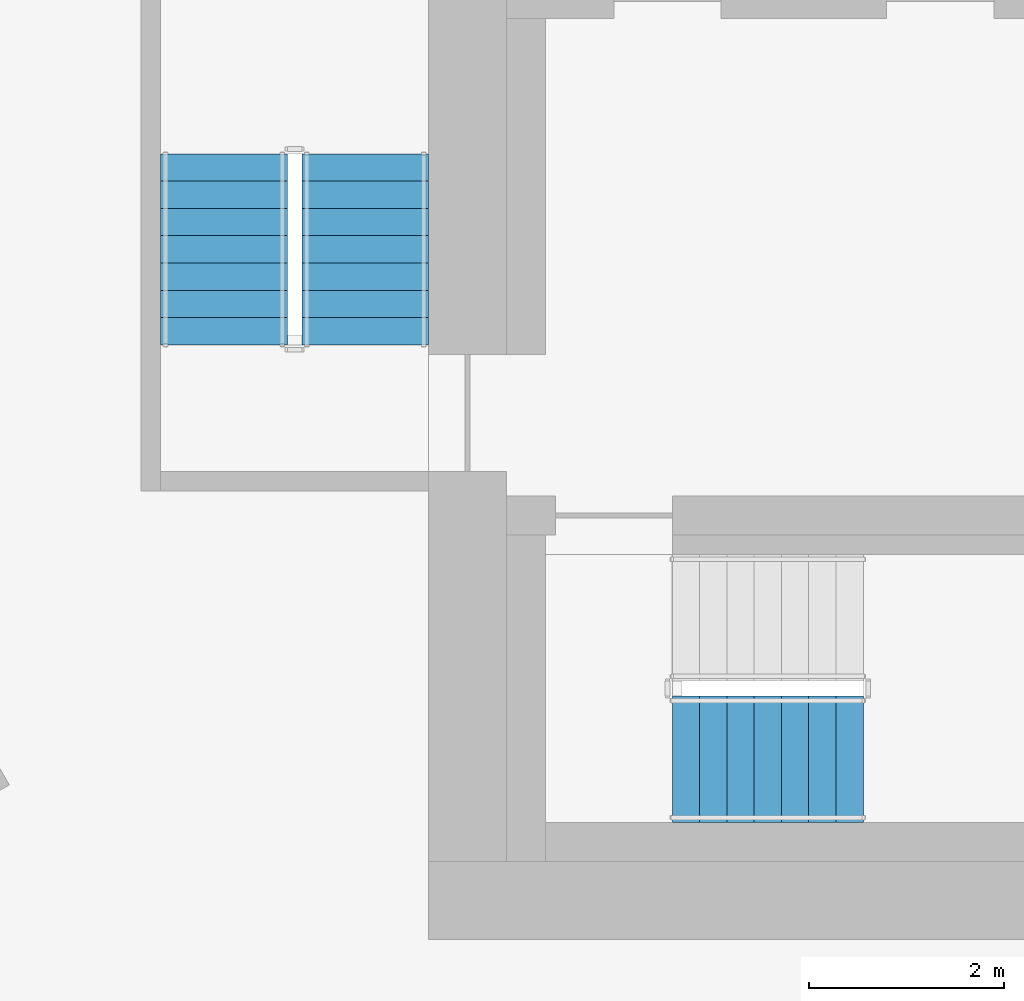
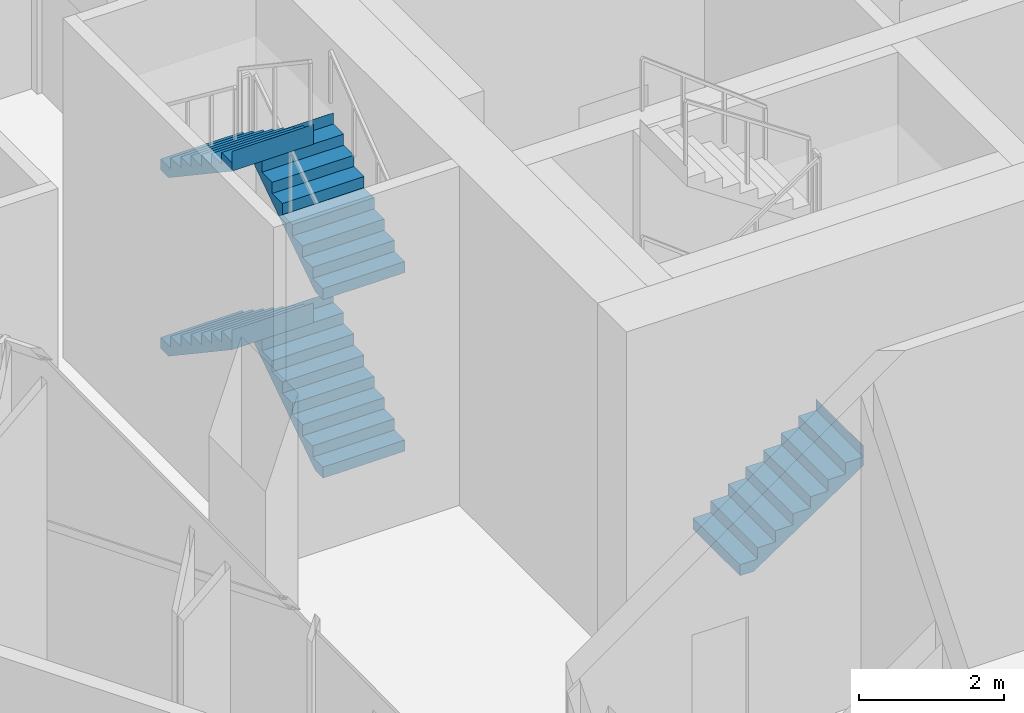
# One storey, part 18 of 27: 5 stair flights, 2 elements without a shape of their own.
"""IFC4 building model written with IfcOpenShell, lengths in metres."""

from ifc_helpers import new_model, si_unit, direction, frame, origin, place, context, subcontext, project, spatial, triangles, material, type_object, element, aggregate, save


model = new_model("IFC4")

# Units and contexts
model_context = context("Model", 3, precision=1e-05, world=origin(), true_north=direction((0.0, 1.0)))
body_context = subcontext(model_context, "Body", "Model", "MODEL_VIEW")
ifc_project = project(units=[si_unit("LENGTHUNIT", "METRE"), si_unit("AREAUNIT", "SQUARE_METRE"), si_unit("VOLUMEUNIT", "CUBIC_METRE"), si_unit("PLANEANGLEUNIT", "RADIAN"), si_unit("MASSUNIT", "GRAM", prefix="KILO")], contexts=[model_context])

# Site, building, storey
site_placement = place(None, origin())
site = spatial("IfcSite", under=ifc_project, at=site_placement, CompositionType="ELEMENT")
building_placement = place(site_placement, origin())
building = spatial("IfcBuilding", under=site, at=building_placement, Name="Beryl Residences", CompositionType="ELEMENT")
storey_placement = place(building_placement, frame((0.0, 0.0, 111.60009765625)))
storey = spatial("IfcBuildingStorey", under=building, at=storey_placement, Name="L34", CompositionType="ELEMENT", Elevation=111.60009765625)

# Stair, stair flight
ifc_material_1 = material(Name="Concrete C40/50", Category="concrete")
stair_type = type_object("IfcStairType", Name="ST1 protected exit stair, half-turn, 1300 mm flights", PredefinedType="HALF_TURN_STAIR", material=ifc_material_1)
stair_1_placement = place(storey_placement, origin())
stair_1 = element("IfcStair", 1, at=stair_1_placement, inside=storey, type_object=stair_type, Name="L34 PROTECTED EXIT STAIR ST-1", PredefinedType="HALF_TURN_STAIR")
ifc_material_2 = material(Name="Concrete C40/50", Category="concrete")
stair_flight_type = type_object("IfcStairFlightType", Name="SF1 stair flight 1300 mm", PredefinedType="STRAIGHT", material=ifc_material_2)
stair_flight_1_placement = place(storey_placement, frame((-10.800048828125, -17.14990234375, 0.0), z_axis=(0.0, 0.0, 1.0), x_axis=(1.0, 0.0, 0.0)))
stair_flight_1 = element("IfcStairFlight", 2, at=stair_flight_1_placement, type_object=stair_flight_type, Name="ST-1 flight 1", NumberOfRisers=8, NumberOfTreads=7, PredefinedType="STRAIGHT", RiserHeight=0.1875, TreadLength=0.28, context=body_context, shape_type="Tessellation", body=[
    triangles([(0.0, -0.64990234375, 0.0), (0.0, -0.324951171875, 0.0), (0.0, 0.0, 0.0), (0.0, 0.324951171875, 0.0), (0.0, 0.64990234375, 0.0), (0.0, -0.64990234375, 0.1875), (0.0, -0.324951171875, 0.1875), (0.0, 0.0, 0.1875), (0.0, 0.324951171875, 0.1875), (0.0, 0.64990234375, 0.1875), (0.280029296875, -0.64990234375, 0.1875), (0.280029296875, -0.324951171875, 0.1875), (0.280029296875, 0.0, 0.1875), (0.280029296875, 0.324951171875, 0.1875), (0.280029296875, 0.64990234375, 0.1875), (0.280029296875, -0.64990234375, 0.375), (0.280029296875, -0.324951171875, 0.375), (0.280029296875, 0.0, 0.375), (0.280029296875, 0.324951171875, 0.375), (0.280029296875, 0.64990234375, 0.375), (0.56005859375, -0.64990234375, 0.375), (0.56005859375, -0.324951171875, 0.375), (0.56005859375, 0.0, 0.375), (0.56005859375, 0.324951171875, 0.375), (0.56005859375, 0.64990234375, 0.375), (0.56005859375, -0.64990234375, 0.5625), (0.56005859375, -0.324951171875, 0.5625), (0.56005859375, 0.0, 0.5625), (0.56005859375, 0.324951171875, 0.5625), (0.56005859375, 0.64990234375, 0.5625), (0.840087890625, -0.64990234375, 0.5625), (0.840087890625, -0.324951171875, 0.5625), (0.840087890625, 0.0, 0.5625), (0.840087890625, 0.324951171875, 0.5625), (0.840087890625, 0.64990234375, 0.5625), (0.840087890625, -0.64990234375, 0.75), (0.840087890625, -0.324951171875, 0.75), (0.840087890625, 0.0, 0.75), (0.840087890625, 0.324951171875, 0.75), (0.840087890625, 0.64990234375, 0.75), (1.1201171875, -0.64990234375, 0.75), (1.1201171875, -0.324951171875, 0.75), (1.1201171875, 0.0, 0.75), (1.1201171875, 0.324951171875, 0.75), (1.1201171875, 0.64990234375, 0.75), (1.1201171875, -0.64990234375, 0.9375), (1.1201171875, -0.324951171875, 0.9375), (1.1201171875, 0.0, 0.9375), (1.1201171875, 0.324951171875, 0.9375), (1.1201171875, 0.64990234375, 0.9375), (1.39990234375, -0.64990234375, 0.9375), (1.39990234375, -0.324951171875, 0.9375), (1.39990234375, 0.0, 0.9375), (1.39990234375, 0.324951171875, 0.9375), (1.39990234375, 0.64990234375, 0.9375), (1.39990234375, -0.64990234375, 1.125), (1.39990234375, -0.324951171875, 1.125), (1.39990234375, 0.0, 1.125), (1.39990234375, 0.324951171875, 1.125), (1.39990234375, 0.64990234375, 1.125), (1.679931640625, -0.64990234375, 1.125), (1.679931640625, -0.324951171875, 1.125), (1.679931640625, 0.0, 1.125), (1.679931640625, 0.324951171875, 1.125), (1.679931640625, 0.64990234375, 1.125), (1.679931640625, -0.64990234375, 1.3125), (1.679931640625, -0.324951171875, 1.3125), (1.679931640625, 0.0, 1.3125), (1.679931640625, 0.324951171875, 1.3125), (1.679931640625, 0.64990234375, 1.3125), (1.9599609375, -0.64990234375, 1.3125), (1.9599609375, -0.324951171875, 1.3125), (1.9599609375, 0.0, 1.3125), (1.9599609375, 0.324951171875, 1.3125), (1.9599609375, 0.64990234375, 1.3125), (1.9599609375, -0.64990234375, 1.5), (1.9599609375, -0.324951171875, 1.5), (1.9599609375, 0.0, 1.5), (1.9599609375, 0.324951171875, 1.5), (1.9599609375, 0.64990234375, 1.5), (1.9609375, -0.64990234375, 1.5), (1.9609375, -0.324951171875, 1.5), (1.9609375, 0.0, 1.5), (1.9609375, 0.324951171875, 1.5), (1.9609375, 0.64990234375, 1.5), (1.9609375, -0.64990234375, 1.16796875), (1.9609375, -0.324951171875, 1.16796875), (1.9609375, 0.0, 1.16796875), (1.9609375, 0.324951171875, 1.16796875), (1.9609375, 0.64990234375, 1.16796875), (0.216796875, -0.64990234375, 0.0), (0.216796875, -0.324951171875, 0.0), (0.216796875, 0.0, 0.0), (0.216796875, 0.324951171875, 0.0), (0.216796875, 0.64990234375, 0.0)], [[1, 6, 7], [1, 7, 2], [2, 7, 8], [2, 8, 3], [3, 8, 9], [3, 9, 4], [4, 9, 10], [4, 10, 5], [6, 11, 12], [6, 12, 7], [7, 12, 13], [7, 13, 8], [8, 13, 14], [8, 14, 9], [9, 14, 15], [9, 15, 10], [11, 16, 17], [11, 17, 12], [12, 17, 18], [12, 18, 13], [13, 18, 19], [13, 19, 14], [14, 19, 20], [14, 20, 15], [16, 21, 22], [16, 22, 17], [17, 22, 23], [17, 23, 18], [18, 23, 24], [18, 24, 19], [19, 24, 25], [19, 25, 20], [21, 26, 27], [21, 27, 22], [22, 27, 28], [22, 28, 23], [23, 28, 29], [23, 29, 24], [24, 29, 30], [24, 30, 25], [26, 31, 32], [26, 32, 27], [27, 32, 33], [27, 33, 28], [28, 33, 34], [28, 34, 29], [29, 34, 35], [29, 35, 30], [31, 36, 37], [31, 37, 32], [32, 37, 38], [32, 38, 33], [33, 38, 39], [33, 39, 34], [34, 39, 40], [34, 40, 35], [36, 41, 42], [36, 42, 37], [37, 42, 43], [37, 43, 38], [38, 43, 44], [38, 44, 39], [39, 44, 45], [39, 45, 40], [41, 46, 47], [41, 47, 42], [42, 47, 48], [42, 48, 43], [43, 48, 49], [43, 49, 44], [44, 49, 50], [44, 50, 45], [46, 51, 52], [46, 52, 47], [47, 52, 53], [47, 53, 48], [48, 53, 54], [48, 54, 49], [49, 54, 55], [49, 55, 50], [51, 56, 57], [51, 57, 52], [52, 57, 58], [52, 58, 53], [53, 58, 59], [53, 59, 54], [54, 59, 60], [54, 60, 55], [56, 61, 62], [56, 62, 57], [57, 62, 63], [57, 63, 58], [58, 63, 64], [58, 64, 59], [59, 64, 65], [59, 65, 60], [61, 66, 67], [61, 67, 62], [62, 67, 68], [62, 68, 63], [63, 68, 69], [63, 69, 64], [64, 69, 70], [64, 70, 65], [66, 71, 72], [66, 72, 67], [67, 72, 73], [67, 73, 68], [68, 73, 74], [68, 74, 69], [69, 74, 75], [69, 75, 70], [71, 76, 77], [71, 77, 72], [72, 77, 78], [72, 78, 73], [73, 78, 79], [73, 79, 74], [74, 79, 80], [74, 80, 75], [76, 81, 82], [76, 82, 77], [77, 82, 83], [77, 83, 78], [78, 83, 84], [78, 84, 79], [79, 84, 85], [79, 85, 80], [81, 86, 87], [81, 87, 82], [82, 87, 88], [82, 88, 83], [83, 88, 89], [83, 89, 84], [84, 89, 90], [84, 90, 85], [86, 91, 92], [86, 92, 87], [87, 92, 93], [87, 93, 88], [88, 93, 94], [88, 94, 89], [89, 94, 95], [89, 95, 90], [91, 1, 2], [91, 2, 92], [92, 2, 3], [92, 3, 93], [93, 3, 4], [93, 4, 94], [94, 4, 5], [94, 5, 95], [1, 91, 86], [5, 90, 95], [86, 81, 76], [90, 80, 85], [86, 76, 71], [90, 75, 80], [86, 71, 66], [90, 70, 75], [86, 66, 61], [90, 65, 70], [61, 56, 51], [65, 55, 60], [86, 61, 51], [90, 55, 65], [51, 46, 41], [55, 45, 50], [86, 51, 41], [90, 45, 55], [41, 36, 31], [45, 35, 40], [86, 41, 31], [90, 35, 45], [31, 26, 21], [35, 25, 30], [86, 31, 21], [90, 25, 35], [21, 16, 11], [25, 15, 20], [86, 21, 11], [90, 15, 25], [1, 86, 11], [5, 15, 90], [11, 6, 1], [15, 5, 10]], closed=True),
])
aggregate(stair_1, [stair_flight_1])

# Stair, stair flights
stair_2_placement = place(storey_placement, origin())
stair_2 = element("IfcStair", 3, at=stair_2_placement, inside=storey, type_object=stair_type, Name="L34 PROTECTED EXIT STAIR ST-2", PredefinedType="HALF_TURN_STAIR")
stair_flight_2_placement = place(storey_placement, frame((-13.949951171875, -12.89990234375, 0.0), z_axis=(0.0, 0.0, 1.0), x_axis=(0.0, 1.0, 0.0)))
stair_flight_2 = element("IfcStairFlight", 4, at=stair_flight_2_placement, type_object=stair_flight_type, Name="ST-2 flight 1", NumberOfRisers=8, NumberOfTreads=7, PredefinedType="STRAIGHT", RiserHeight=0.1875, TreadLength=0.28, context=body_context, shape_type="Tessellation", body=[
    triangles([(0.0, -0.64990234375, 0.0), (0.0, -0.324951171875, 0.0), (0.0, 0.0, 0.0), (0.0, 0.324951171875, 0.0), (0.0, 0.64990234375, 0.0), (0.0, -0.64990234375, 0.1875), (0.0, -0.324951171875, 0.1875), (0.0, 0.0, 0.1875), (0.0, 0.324951171875, 0.1875), (0.0, 0.64990234375, 0.1875), (0.280029296875, -0.64990234375, 0.1875), (0.280029296875, -0.324951171875, 0.1875), (0.280029296875, 0.0, 0.1875), (0.280029296875, 0.324951171875, 0.1875), (0.280029296875, 0.64990234375, 0.1875), (0.280029296875, -0.64990234375, 0.375), (0.280029296875, -0.324951171875, 0.375), (0.280029296875, 0.0, 0.375), (0.280029296875, 0.324951171875, 0.375), (0.280029296875, 0.64990234375, 0.375), (0.56005859375, -0.64990234375, 0.375), (0.56005859375, -0.324951171875, 0.375), (0.56005859375, 0.0, 0.375), (0.56005859375, 0.324951171875, 0.375), (0.56005859375, 0.64990234375, 0.375), (0.56005859375, -0.64990234375, 0.5625), (0.56005859375, -0.324951171875, 0.5625), (0.56005859375, 0.0, 0.5625), (0.56005859375, 0.324951171875, 0.5625), (0.56005859375, 0.64990234375, 0.5625), (0.840087890625, -0.64990234375, 0.5625), (0.840087890625, -0.324951171875, 0.5625), (0.840087890625, 0.0, 0.5625), (0.840087890625, 0.324951171875, 0.5625), (0.840087890625, 0.64990234375, 0.5625), (0.840087890625, -0.64990234375, 0.75), (0.840087890625, -0.324951171875, 0.75), (0.840087890625, 0.0, 0.75), (0.840087890625, 0.324951171875, 0.75), (0.840087890625, 0.64990234375, 0.75), (1.1201171875, -0.64990234375, 0.75), (1.1201171875, -0.324951171875, 0.75), (1.1201171875, 0.0, 0.75), (1.1201171875, 0.324951171875, 0.75), (1.1201171875, 0.64990234375, 0.75), (1.1201171875, -0.64990234375, 0.9375), (1.1201171875, -0.324951171875, 0.9375), (1.1201171875, 0.0, 0.9375), (1.1201171875, 0.324951171875, 0.9375), (1.1201171875, 0.64990234375, 0.9375), (1.39990234375, -0.64990234375, 0.9375), (1.39990234375, -0.324951171875, 0.9375), (1.39990234375, 0.0, 0.9375), (1.39990234375, 0.324951171875, 0.9375), (1.39990234375, 0.64990234375, 0.9375), (1.39990234375, -0.64990234375, 1.125), (1.39990234375, -0.324951171875, 1.125), (1.39990234375, 0.0, 1.125), (1.39990234375, 0.324951171875, 1.125), (1.39990234375, 0.64990234375, 1.125), (1.679931640625, -0.64990234375, 1.125), (1.679931640625, -0.324951171875, 1.125), (1.679931640625, 0.0, 1.125), (1.679931640625, 0.324951171875, 1.125), (1.679931640625, 0.64990234375, 1.125), (1.679931640625, -0.64990234375, 1.3125), (1.679931640625, -0.324951171875, 1.3125), (1.679931640625, 0.0, 1.3125), (1.679931640625, 0.324951171875, 1.3125), (1.679931640625, 0.64990234375, 1.3125), (1.9599609375, -0.64990234375, 1.3125), (1.9599609375, -0.324951171875, 1.3125), (1.9599609375, 0.0, 1.3125), (1.9599609375, 0.324951171875, 1.3125), (1.9599609375, 0.64990234375, 1.3125), (1.9599609375, -0.64990234375, 1.5), (1.9599609375, -0.324951171875, 1.5), (1.9599609375, 0.0, 1.5), (1.9599609375, 0.324951171875, 1.5), (1.9599609375, 0.64990234375, 1.5), (1.9609375, -0.64990234375, 1.5), (1.9609375, -0.324951171875, 1.5), (1.9609375, 0.0, 1.5), (1.9609375, 0.324951171875, 1.5), (1.9609375, 0.64990234375, 1.5), (1.9609375, -0.64990234375, 1.16796875), (1.9609375, -0.324951171875, 1.16796875), (1.9609375, 0.0, 1.16796875), (1.9609375, 0.324951171875, 1.16796875), (1.9609375, 0.64990234375, 1.16796875), (0.216796875, -0.64990234375, 0.0), (0.216796875, -0.324951171875, 0.0), (0.216796875, 0.0, 0.0), (0.216796875, 0.324951171875, 0.0), (0.216796875, 0.64990234375, 0.0)], [[1, 6, 7], [1, 7, 2], [2, 7, 8], [2, 8, 3], [3, 8, 9], [3, 9, 4], [4, 9, 10], [4, 10, 5], [6, 11, 12], [6, 12, 7], [7, 12, 13], [7, 13, 8], [8, 13, 14], [8, 14, 9], [9, 14, 15], [9, 15, 10], [11, 16, 17], [11, 17, 12], [12, 17, 18], [12, 18, 13], [13, 18, 19], [13, 19, 14], [14, 19, 20], [14, 20, 15], [16, 21, 22], [16, 22, 17], [17, 22, 23], [17, 23, 18], [18, 23, 24], [18, 24, 19], [19, 24, 25], [19, 25, 20], [21, 26, 27], [21, 27, 22], [22, 27, 28], [22, 28, 23], [23, 28, 29], [23, 29, 24], [24, 29, 30], [24, 30, 25], [26, 31, 32], [26, 32, 27], [27, 32, 33], [27, 33, 28], [28, 33, 34], [28, 34, 29], [29, 34, 35], [29, 35, 30], [31, 36, 37], [31, 37, 32], [32, 37, 38], [32, 38, 33], [33, 38, 39], [33, 39, 34], [34, 39, 40], [34, 40, 35], [36, 41, 42], [36, 42, 37], [37, 42, 43], [37, 43, 38], [38, 43, 44], [38, 44, 39], [39, 44, 45], [39, 45, 40], [41, 46, 47], [41, 47, 42], [42, 47, 48], [42, 48, 43], [43, 48, 49], [43, 49, 44], [44, 49, 50], [44, 50, 45], [46, 51, 52], [46, 52, 47], [47, 52, 53], [47, 53, 48], [48, 53, 54], [48, 54, 49], [49, 54, 55], [49, 55, 50], [51, 56, 57], [51, 57, 52], [52, 57, 58], [52, 58, 53], [53, 58, 59], [53, 59, 54], [54, 59, 60], [54, 60, 55], [56, 61, 62], [56, 62, 57], [57, 62, 63], [57, 63, 58], [58, 63, 64], [58, 64, 59], [59, 64, 65], [59, 65, 60], [61, 66, 67], [61, 67, 62], [62, 67, 68], [62, 68, 63], [63, 68, 69], [63, 69, 64], [64, 69, 70], [64, 70, 65], [66, 71, 72], [66, 72, 67], [67, 72, 73], [67, 73, 68], [68, 73, 74], [68, 74, 69], [69, 74, 75], [69, 75, 70], [71, 76, 77], [71, 77, 72], [72, 77, 78], [72, 78, 73], [73, 78, 79], [73, 79, 74], [74, 79, 80], [74, 80, 75], [76, 81, 82], [76, 82, 77], [77, 82, 83], [77, 83, 78], [78, 83, 84], [78, 84, 79], [79, 84, 85], [79, 85, 80], [81, 86, 87], [81, 87, 82], [82, 87, 88], [82, 88, 83], [83, 88, 89], [83, 89, 84], [84, 89, 90], [84, 90, 85], [86, 91, 92], [86, 92, 87], [87, 92, 93], [87, 93, 88], [88, 93, 94], [88, 94, 89], [89, 94, 95], [89, 95, 90], [91, 1, 2], [91, 2, 92], [92, 2, 3], [92, 3, 93], [93, 3, 4], [93, 4, 94], [94, 4, 5], [94, 5, 95], [1, 91, 86], [5, 90, 95], [86, 81, 76], [90, 80, 85], [86, 76, 71], [90, 75, 80], [86, 71, 66], [90, 70, 75], [86, 66, 61], [90, 65, 70], [61, 56, 51], [65, 55, 60], [86, 61, 51], [90, 55, 65], [51, 46, 41], [55, 45, 50], [86, 51, 41], [90, 45, 55], [41, 36, 31], [45, 35, 40], [86, 41, 31], [90, 35, 45], [31, 26, 21], [35, 25, 30], [86, 31, 21], [90, 25, 35], [21, 16, 11], [25, 15, 20], [86, 21, 11], [90, 15, 25], [1, 86, 11], [5, 15, 90], [11, 6, 1], [15, 5, 10]], closed=True),
])
stair_flight_3_placement = place(storey_placement, frame((-15.39990234375, -10.93994140625, 1.5), z_axis=(0.0, 0.0, 1.0), x_axis=(0.0, -1.0, 0.0)))
stair_flight_3 = element("IfcStairFlight", 5, at=stair_flight_3_placement, type_object=stair_flight_type, Name="ST-2 flight 2", NumberOfRisers=8, NumberOfTreads=7, PredefinedType="STRAIGHT", RiserHeight=0.1875, TreadLength=0.28, context=body_context, shape_type="Tessellation", body=[
    triangles([(0.0, -0.64990234375, 0.0), (0.0, -0.324951171875, 0.0), (0.0, 0.0, 0.0), (0.0, 0.324951171875, 0.0), (0.0, 0.64990234375, 0.0), (0.0, -0.64990234375, 0.1875), (0.0, -0.324951171875, 0.1875), (0.0, 0.0, 0.1875), (0.0, 0.324951171875, 0.1875), (0.0, 0.64990234375, 0.1875), (0.280029296875, -0.64990234375, 0.1875), (0.280029296875, -0.324951171875, 0.1875), (0.280029296875, 0.0, 0.1875), (0.280029296875, 0.324951171875, 0.1875), (0.280029296875, 0.64990234375, 0.1875), (0.280029296875, -0.64990234375, 0.375), (0.280029296875, -0.324951171875, 0.375), (0.280029296875, 0.0, 0.375), (0.280029296875, 0.324951171875, 0.375), (0.280029296875, 0.64990234375, 0.375), (0.56005859375, -0.64990234375, 0.375), (0.56005859375, -0.324951171875, 0.375), (0.56005859375, 0.0, 0.375), (0.56005859375, 0.324951171875, 0.375), (0.56005859375, 0.64990234375, 0.375), (0.56005859375, -0.64990234375, 0.5625), (0.56005859375, -0.324951171875, 0.5625), (0.56005859375, 0.0, 0.5625), (0.56005859375, 0.324951171875, 0.5625), (0.56005859375, 0.64990234375, 0.5625), (0.840087890625, -0.64990234375, 0.5625), (0.840087890625, -0.324951171875, 0.5625), (0.840087890625, 0.0, 0.5625), (0.840087890625, 0.324951171875, 0.5625), (0.840087890625, 0.64990234375, 0.5625), (0.840087890625, -0.64990234375, 0.75), (0.840087890625, -0.324951171875, 0.75), (0.840087890625, 0.0, 0.75), (0.840087890625, 0.324951171875, 0.75), (0.840087890625, 0.64990234375, 0.75), (1.1201171875, -0.64990234375, 0.75), (1.1201171875, -0.324951171875, 0.75), (1.1201171875, 0.0, 0.75), (1.1201171875, 0.324951171875, 0.75), (1.1201171875, 0.64990234375, 0.75), (1.1201171875, -0.64990234375, 0.9375), (1.1201171875, -0.324951171875, 0.9375), (1.1201171875, 0.0, 0.9375), (1.1201171875, 0.324951171875, 0.9375), (1.1201171875, 0.64990234375, 0.9375), (1.39990234375, -0.64990234375, 0.9375), (1.39990234375, -0.324951171875, 0.9375), (1.39990234375, 0.0, 0.9375), (1.39990234375, 0.324951171875, 0.9375), (1.39990234375, 0.64990234375, 0.9375), (1.39990234375, -0.64990234375, 1.125), (1.39990234375, -0.324951171875, 1.125), (1.39990234375, 0.0, 1.125), (1.39990234375, 0.324951171875, 1.125), (1.39990234375, 0.64990234375, 1.125), (1.679931640625, -0.64990234375, 1.125), (1.679931640625, -0.324951171875, 1.125), (1.679931640625, 0.0, 1.125), (1.679931640625, 0.324951171875, 1.125), (1.679931640625, 0.64990234375, 1.125), (1.679931640625, -0.64990234375, 1.3125), (1.679931640625, -0.324951171875, 1.3125), (1.679931640625, 0.0, 1.3125), (1.679931640625, 0.324951171875, 1.3125), (1.679931640625, 0.64990234375, 1.3125), (1.9599609375, -0.64990234375, 1.3125), (1.9599609375, -0.324951171875, 1.3125), (1.9599609375, 0.0, 1.3125), (1.9599609375, 0.324951171875, 1.3125), (1.9599609375, 0.64990234375, 1.3125), (1.9599609375, -0.64990234375, 1.5), (1.9599609375, -0.324951171875, 1.5), (1.9599609375, 0.0, 1.5), (1.9599609375, 0.324951171875, 1.5), (1.9599609375, 0.64990234375, 1.5), (1.9609375, -0.64990234375, 1.5), (1.9609375, -0.324951171875, 1.5), (1.9609375, 0.0, 1.5), (1.9609375, 0.324951171875, 1.5), (1.9609375, 0.64990234375, 1.5), (1.9609375, -0.64990234375, 1.16796875), (1.9609375, -0.324951171875, 1.16796875), (1.9609375, 0.0, 1.16796875), (1.9609375, 0.324951171875, 1.16796875), (1.9609375, 0.64990234375, 1.16796875), (0.216796875, -0.64990234375, 0.0), (0.216796875, -0.324951171875, 0.0), (0.216796875, 0.0, 0.0), (0.216796875, 0.324951171875, 0.0), (0.216796875, 0.64990234375, 0.0)], [[1, 6, 7], [1, 7, 2], [2, 7, 8], [2, 8, 3], [3, 8, 9], [3, 9, 4], [4, 9, 10], [4, 10, 5], [6, 11, 12], [6, 12, 7], [7, 12, 13], [7, 13, 8], [8, 13, 14], [8, 14, 9], [9, 14, 15], [9, 15, 10], [11, 16, 17], [11, 17, 12], [12, 17, 18], [12, 18, 13], [13, 18, 19], [13, 19, 14], [14, 19, 20], [14, 20, 15], [16, 21, 22], [16, 22, 17], [17, 22, 23], [17, 23, 18], [18, 23, 24], [18, 24, 19], [19, 24, 25], [19, 25, 20], [21, 26, 27], [21, 27, 22], [22, 27, 28], [22, 28, 23], [23, 28, 29], [23, 29, 24], [24, 29, 30], [24, 30, 25], [26, 31, 32], [26, 32, 27], [27, 32, 33], [27, 33, 28], [28, 33, 34], [28, 34, 29], [29, 34, 35], [29, 35, 30], [31, 36, 37], [31, 37, 32], [32, 37, 38], [32, 38, 33], [33, 38, 39], [33, 39, 34], [34, 39, 40], [34, 40, 35], [36, 41, 42], [36, 42, 37], [37, 42, 43], [37, 43, 38], [38, 43, 44], [38, 44, 39], [39, 44, 45], [39, 45, 40], [41, 46, 47], [41, 47, 42], [42, 47, 48], [42, 48, 43], [43, 48, 49], [43, 49, 44], [44, 49, 50], [44, 50, 45], [46, 51, 52], [46, 52, 47], [47, 52, 53], [47, 53, 48], [48, 53, 54], [48, 54, 49], [49, 54, 55], [49, 55, 50], [51, 56, 57], [51, 57, 52], [52, 57, 58], [52, 58, 53], [53, 58, 59], [53, 59, 54], [54, 59, 60], [54, 60, 55], [56, 61, 62], [56, 62, 57], [57, 62, 63], [57, 63, 58], [58, 63, 64], [58, 64, 59], [59, 64, 65], [59, 65, 60], [61, 66, 67], [61, 67, 62], [62, 67, 68], [62, 68, 63], [63, 68, 69], [63, 69, 64], [64, 69, 70], [64, 70, 65], [66, 71, 72], [66, 72, 67], [67, 72, 73], [67, 73, 68], [68, 73, 74], [68, 74, 69], [69, 74, 75], [69, 75, 70], [71, 76, 77], [71, 77, 72], [72, 77, 78], [72, 78, 73], [73, 78, 79], [73, 79, 74], [74, 79, 80], [74, 80, 75], [76, 81, 82], [76, 82, 77], [77, 82, 83], [77, 83, 78], [78, 83, 84], [78, 84, 79], [79, 84, 85], [79, 85, 80], [81, 86, 87], [81, 87, 82], [82, 87, 88], [82, 88, 83], [83, 88, 89], [83, 89, 84], [84, 89, 90], [84, 90, 85], [86, 91, 92], [86, 92, 87], [87, 92, 93], [87, 93, 88], [88, 93, 94], [88, 94, 89], [89, 94, 95], [89, 95, 90], [91, 1, 2], [91, 2, 92], [92, 2, 3], [92, 3, 93], [93, 3, 4], [93, 4, 94], [94, 4, 5], [94, 5, 95], [1, 91, 86], [5, 90, 95], [86, 81, 76], [90, 80, 85], [86, 76, 71], [90, 75, 80], [86, 71, 66], [90, 70, 75], [86, 66, 61], [90, 65, 70], [61, 56, 51], [65, 55, 60], [86, 61, 51], [90, 55, 65], [51, 46, 41], [55, 45, 50], [86, 51, 41], [90, 45, 55], [41, 36, 31], [45, 35, 40], [86, 41, 31], [90, 35, 45], [31, 26, 21], [35, 25, 30], [86, 31, 21], [90, 25, 35], [21, 16, 11], [25, 15, 20], [86, 21, 11], [90, 15, 25], [1, 86, 11], [5, 15, 90], [11, 6, 1], [15, 5, 10]], closed=True),
])
stair_flight_4_placement = place(storey_placement, frame((-13.949951171875, -12.89990234375, 3.0), z_axis=(0.0, 0.0, 1.0), x_axis=(0.0, 1.0, 0.0)))
stair_flight_4 = element("IfcStairFlight", 6, at=stair_flight_4_placement, type_object=stair_flight_type, Name="ST-2 flight 3", NumberOfRisers=8, NumberOfTreads=7, PredefinedType="STRAIGHT", RiserHeight=0.1875, TreadLength=0.28, context=body_context, shape_type="Tessellation", body=[
    triangles([(0.0, -0.64990234375, 0.0), (0.0, -0.324951171875, 0.0), (0.0, 0.0, 0.0), (0.0, 0.324951171875, 0.0), (0.0, 0.64990234375, 0.0), (0.0, -0.64990234375, 0.1875), (0.0, -0.324951171875, 0.1875), (0.0, 0.0, 0.1875), (0.0, 0.324951171875, 0.1875), (0.0, 0.64990234375, 0.1875), (0.280029296875, -0.64990234375, 0.1875), (0.280029296875, -0.324951171875, 0.1875), (0.280029296875, 0.0, 0.1875), (0.280029296875, 0.324951171875, 0.1875), (0.280029296875, 0.64990234375, 0.1875), (0.280029296875, -0.64990234375, 0.375), (0.280029296875, -0.324951171875, 0.375), (0.280029296875, 0.0, 0.375), (0.280029296875, 0.324951171875, 0.375), (0.280029296875, 0.64990234375, 0.375), (0.56005859375, -0.64990234375, 0.375), (0.56005859375, -0.324951171875, 0.375), (0.56005859375, 0.0, 0.375), (0.56005859375, 0.324951171875, 0.375), (0.56005859375, 0.64990234375, 0.375), (0.56005859375, -0.64990234375, 0.5625), (0.56005859375, -0.324951171875, 0.5625), (0.56005859375, 0.0, 0.5625), (0.56005859375, 0.324951171875, 0.5625), (0.56005859375, 0.64990234375, 0.5625), (0.840087890625, -0.64990234375, 0.5625), (0.840087890625, -0.324951171875, 0.5625), (0.840087890625, 0.0, 0.5625), (0.840087890625, 0.324951171875, 0.5625), (0.840087890625, 0.64990234375, 0.5625), (0.840087890625, -0.64990234375, 0.75), (0.840087890625, -0.324951171875, 0.75), (0.840087890625, 0.0, 0.75), (0.840087890625, 0.324951171875, 0.75), (0.840087890625, 0.64990234375, 0.75), (1.1201171875, -0.64990234375, 0.75), (1.1201171875, -0.324951171875, 0.75), (1.1201171875, 0.0, 0.75), (1.1201171875, 0.324951171875, 0.75), (1.1201171875, 0.64990234375, 0.75), (1.1201171875, -0.64990234375, 0.9375), (1.1201171875, -0.324951171875, 0.9375), (1.1201171875, 0.0, 0.9375), (1.1201171875, 0.324951171875, 0.9375), (1.1201171875, 0.64990234375, 0.9375), (1.39990234375, -0.64990234375, 0.9375), (1.39990234375, -0.324951171875, 0.9375), (1.39990234375, 0.0, 0.9375), (1.39990234375, 0.324951171875, 0.9375), (1.39990234375, 0.64990234375, 0.9375), (1.39990234375, -0.64990234375, 1.125), (1.39990234375, -0.324951171875, 1.125), (1.39990234375, 0.0, 1.125), (1.39990234375, 0.324951171875, 1.125), (1.39990234375, 0.64990234375, 1.125), (1.679931640625, -0.64990234375, 1.125), (1.679931640625, -0.324951171875, 1.125), (1.679931640625, 0.0, 1.125), (1.679931640625, 0.324951171875, 1.125), (1.679931640625, 0.64990234375, 1.125), (1.679931640625, -0.64990234375, 1.3125), (1.679931640625, -0.324951171875, 1.3125), (1.679931640625, 0.0, 1.3125), (1.679931640625, 0.324951171875, 1.3125), (1.679931640625, 0.64990234375, 1.3125), (1.9599609375, -0.64990234375, 1.3125), (1.9599609375, -0.324951171875, 1.3125), (1.9599609375, 0.0, 1.3125), (1.9599609375, 0.324951171875, 1.3125), (1.9599609375, 0.64990234375, 1.3125), (1.9599609375, -0.64990234375, 1.5), (1.9599609375, -0.324951171875, 1.5), (1.9599609375, 0.0, 1.5), (1.9599609375, 0.324951171875, 1.5), (1.9599609375, 0.64990234375, 1.5), (1.9609375, -0.64990234375, 1.5), (1.9609375, -0.324951171875, 1.5), (1.9609375, 0.0, 1.5), (1.9609375, 0.324951171875, 1.5), (1.9609375, 0.64990234375, 1.5), (1.9609375, -0.64990234375, 1.16796875), (1.9609375, -0.324951171875, 1.16796875), (1.9609375, 0.0, 1.16796875), (1.9609375, 0.324951171875, 1.16796875), (1.9609375, 0.64990234375, 1.16796875), (0.216796875, -0.64990234375, 0.0), (0.216796875, -0.324951171875, 0.0), (0.216796875, 0.0, 0.0), (0.216796875, 0.324951171875, 0.0), (0.216796875, 0.64990234375, 0.0)], [[1, 6, 7], [1, 7, 2], [2, 7, 8], [2, 8, 3], [3, 8, 9], [3, 9, 4], [4, 9, 10], [4, 10, 5], [6, 11, 12], [6, 12, 7], [7, 12, 13], [7, 13, 8], [8, 13, 14], [8, 14, 9], [9, 14, 15], [9, 15, 10], [11, 16, 17], [11, 17, 12], [12, 17, 18], [12, 18, 13], [13, 18, 19], [13, 19, 14], [14, 19, 20], [14, 20, 15], [16, 21, 22], [16, 22, 17], [17, 22, 23], [17, 23, 18], [18, 23, 24], [18, 24, 19], [19, 24, 25], [19, 25, 20], [21, 26, 27], [21, 27, 22], [22, 27, 28], [22, 28, 23], [23, 28, 29], [23, 29, 24], [24, 29, 30], [24, 30, 25], [26, 31, 32], [26, 32, 27], [27, 32, 33], [27, 33, 28], [28, 33, 34], [28, 34, 29], [29, 34, 35], [29, 35, 30], [31, 36, 37], [31, 37, 32], [32, 37, 38], [32, 38, 33], [33, 38, 39], [33, 39, 34], [34, 39, 40], [34, 40, 35], [36, 41, 42], [36, 42, 37], [37, 42, 43], [37, 43, 38], [38, 43, 44], [38, 44, 39], [39, 44, 45], [39, 45, 40], [41, 46, 47], [41, 47, 42], [42, 47, 48], [42, 48, 43], [43, 48, 49], [43, 49, 44], [44, 49, 50], [44, 50, 45], [46, 51, 52], [46, 52, 47], [47, 52, 53], [47, 53, 48], [48, 53, 54], [48, 54, 49], [49, 54, 55], [49, 55, 50], [51, 56, 57], [51, 57, 52], [52, 57, 58], [52, 58, 53], [53, 58, 59], [53, 59, 54], [54, 59, 60], [54, 60, 55], [56, 61, 62], [56, 62, 57], [57, 62, 63], [57, 63, 58], [58, 63, 64], [58, 64, 59], [59, 64, 65], [59, 65, 60], [61, 66, 67], [61, 67, 62], [62, 67, 68], [62, 68, 63], [63, 68, 69], [63, 69, 64], [64, 69, 70], [64, 70, 65], [66, 71, 72], [66, 72, 67], [67, 72, 73], [67, 73, 68], [68, 73, 74], [68, 74, 69], [69, 74, 75], [69, 75, 70], [71, 76, 77], [71, 77, 72], [72, 77, 78], [72, 78, 73], [73, 78, 79], [73, 79, 74], [74, 79, 80], [74, 80, 75], [76, 81, 82], [76, 82, 77], [77, 82, 83], [77, 83, 78], [78, 83, 84], [78, 84, 79], [79, 84, 85], [79, 85, 80], [81, 86, 87], [81, 87, 82], [82, 87, 88], [82, 88, 83], [83, 88, 89], [83, 89, 84], [84, 89, 90], [84, 90, 85], [86, 91, 92], [86, 92, 87], [87, 92, 93], [87, 93, 88], [88, 93, 94], [88, 94, 89], [89, 94, 95], [89, 95, 90], [91, 1, 2], [91, 2, 92], [92, 2, 3], [92, 3, 93], [93, 3, 4], [93, 4, 94], [94, 4, 5], [94, 5, 95], [1, 91, 86], [5, 90, 95], [86, 81, 76], [90, 80, 85], [86, 76, 71], [90, 75, 80], [86, 71, 66], [90, 70, 75], [86, 66, 61], [90, 65, 70], [61, 56, 51], [65, 55, 60], [86, 61, 51], [90, 55, 65], [51, 46, 41], [55, 45, 50], [86, 51, 41], [90, 45, 55], [41, 36, 31], [45, 35, 40], [86, 41, 31], [90, 35, 45], [31, 26, 21], [35, 25, 30], [86, 31, 21], [90, 25, 35], [21, 16, 11], [25, 15, 20], [86, 21, 11], [90, 15, 25], [1, 86, 11], [5, 15, 90], [11, 6, 1], [15, 5, 10]], closed=True),
])
stair_flight_5_placement = place(storey_placement, frame((-15.39990234375, -10.93994140625, 4.5), z_axis=(0.0, 0.0, 1.0), x_axis=(0.0, -1.0, 0.0)))
stair_flight_5 = element("IfcStairFlight", 7, at=stair_flight_5_placement, type_object=stair_flight_type, Name="ST-2 flight 4", NumberOfRisers=8, NumberOfTreads=7, PredefinedType="STRAIGHT", RiserHeight=0.1875, TreadLength=0.28, context=body_context, shape_type="Tessellation", body=[
    triangles([(0.0, -0.64990234375, 0.0), (0.0, -0.324951171875, 0.0), (0.0, 0.0, 0.0), (0.0, 0.324951171875, 0.0), (0.0, 0.64990234375, 0.0), (0.0, -0.64990234375, 0.1875), (0.0, -0.324951171875, 0.1875), (0.0, 0.0, 0.1875), (0.0, 0.324951171875, 0.1875), (0.0, 0.64990234375, 0.1875), (0.280029296875, -0.64990234375, 0.1875), (0.280029296875, -0.324951171875, 0.1875), (0.280029296875, 0.0, 0.1875), (0.280029296875, 0.324951171875, 0.1875), (0.280029296875, 0.64990234375, 0.1875), (0.280029296875, -0.64990234375, 0.375), (0.280029296875, -0.324951171875, 0.375), (0.280029296875, 0.0, 0.375), (0.280029296875, 0.324951171875, 0.375), (0.280029296875, 0.64990234375, 0.375), (0.56005859375, -0.64990234375, 0.375), (0.56005859375, -0.324951171875, 0.375), (0.56005859375, 0.0, 0.375), (0.56005859375, 0.324951171875, 0.375), (0.56005859375, 0.64990234375, 0.375), (0.56005859375, -0.64990234375, 0.5625), (0.56005859375, -0.324951171875, 0.5625), (0.56005859375, 0.0, 0.5625), (0.56005859375, 0.324951171875, 0.5625), (0.56005859375, 0.64990234375, 0.5625), (0.840087890625, -0.64990234375, 0.5625), (0.840087890625, -0.324951171875, 0.5625), (0.840087890625, 0.0, 0.5625), (0.840087890625, 0.324951171875, 0.5625), (0.840087890625, 0.64990234375, 0.5625), (0.840087890625, -0.64990234375, 0.75), (0.840087890625, -0.324951171875, 0.75), (0.840087890625, 0.0, 0.75), (0.840087890625, 0.324951171875, 0.75), (0.840087890625, 0.64990234375, 0.75), (1.1201171875, -0.64990234375, 0.75), (1.1201171875, -0.324951171875, 0.75), (1.1201171875, 0.0, 0.75), (1.1201171875, 0.324951171875, 0.75), (1.1201171875, 0.64990234375, 0.75), (1.1201171875, -0.64990234375, 0.9375), (1.1201171875, -0.324951171875, 0.9375), (1.1201171875, 0.0, 0.9375), (1.1201171875, 0.324951171875, 0.9375), (1.1201171875, 0.64990234375, 0.9375), (1.39990234375, -0.64990234375, 0.9375), (1.39990234375, -0.324951171875, 0.9375), (1.39990234375, 0.0, 0.9375), (1.39990234375, 0.324951171875, 0.9375), (1.39990234375, 0.64990234375, 0.9375), (1.39990234375, -0.64990234375, 1.125), (1.39990234375, -0.324951171875, 1.125), (1.39990234375, 0.0, 1.125), (1.39990234375, 0.324951171875, 1.125), (1.39990234375, 0.64990234375, 1.125), (1.679931640625, -0.64990234375, 1.125), (1.679931640625, -0.324951171875, 1.125), (1.679931640625, 0.0, 1.125), (1.679931640625, 0.324951171875, 1.125), (1.679931640625, 0.64990234375, 1.125), (1.679931640625, -0.64990234375, 1.3125), (1.679931640625, -0.324951171875, 1.3125), (1.679931640625, 0.0, 1.3125), (1.679931640625, 0.324951171875, 1.3125), (1.679931640625, 0.64990234375, 1.3125), (1.9599609375, -0.64990234375, 1.3125), (1.9599609375, -0.324951171875, 1.3125), (1.9599609375, 0.0, 1.3125), (1.9599609375, 0.324951171875, 1.3125), (1.9599609375, 0.64990234375, 1.3125), (1.9599609375, -0.64990234375, 1.5), (1.9599609375, -0.324951171875, 1.5), (1.9599609375, 0.0, 1.5), (1.9599609375, 0.324951171875, 1.5), (1.9599609375, 0.64990234375, 1.5), (1.9609375, -0.64990234375, 1.5), (1.9609375, -0.324951171875, 1.5), (1.9609375, 0.0, 1.5), (1.9609375, 0.324951171875, 1.5), (1.9609375, 0.64990234375, 1.5), (1.9609375, -0.64990234375, 1.16796875), (1.9609375, -0.324951171875, 1.16796875), (1.9609375, 0.0, 1.16796875), (1.9609375, 0.324951171875, 1.16796875), (1.9609375, 0.64990234375, 1.16796875), (0.216796875, -0.64990234375, 0.0), (0.216796875, -0.324951171875, 0.0), (0.216796875, 0.0, 0.0), (0.216796875, 0.324951171875, 0.0), (0.216796875, 0.64990234375, 0.0)], [[1, 6, 7], [1, 7, 2], [2, 7, 8], [2, 8, 3], [3, 8, 9], [3, 9, 4], [4, 9, 10], [4, 10, 5], [6, 11, 12], [6, 12, 7], [7, 12, 13], [7, 13, 8], [8, 13, 14], [8, 14, 9], [9, 14, 15], [9, 15, 10], [11, 16, 17], [11, 17, 12], [12, 17, 18], [12, 18, 13], [13, 18, 19], [13, 19, 14], [14, 19, 20], [14, 20, 15], [16, 21, 22], [16, 22, 17], [17, 22, 23], [17, 23, 18], [18, 23, 24], [18, 24, 19], [19, 24, 25], [19, 25, 20], [21, 26, 27], [21, 27, 22], [22, 27, 28], [22, 28, 23], [23, 28, 29], [23, 29, 24], [24, 29, 30], [24, 30, 25], [26, 31, 32], [26, 32, 27], [27, 32, 33], [27, 33, 28], [28, 33, 34], [28, 34, 29], [29, 34, 35], [29, 35, 30], [31, 36, 37], [31, 37, 32], [32, 37, 38], [32, 38, 33], [33, 38, 39], [33, 39, 34], [34, 39, 40], [34, 40, 35], [36, 41, 42], [36, 42, 37], [37, 42, 43], [37, 43, 38], [38, 43, 44], [38, 44, 39], [39, 44, 45], [39, 45, 40], [41, 46, 47], [41, 47, 42], [42, 47, 48], [42, 48, 43], [43, 48, 49], [43, 49, 44], [44, 49, 50], [44, 50, 45], [46, 51, 52], [46, 52, 47], [47, 52, 53], [47, 53, 48], [48, 53, 54], [48, 54, 49], [49, 54, 55], [49, 55, 50], [51, 56, 57], [51, 57, 52], [52, 57, 58], [52, 58, 53], [53, 58, 59], [53, 59, 54], [54, 59, 60], [54, 60, 55], [56, 61, 62], [56, 62, 57], [57, 62, 63], [57, 63, 58], [58, 63, 64], [58, 64, 59], [59, 64, 65], [59, 65, 60], [61, 66, 67], [61, 67, 62], [62, 67, 68], [62, 68, 63], [63, 68, 69], [63, 69, 64], [64, 69, 70], [64, 70, 65], [66, 71, 72], [66, 72, 67], [67, 72, 73], [67, 73, 68], [68, 73, 74], [68, 74, 69], [69, 74, 75], [69, 75, 70], [71, 76, 77], [71, 77, 72], [72, 77, 78], [72, 78, 73], [73, 78, 79], [73, 79, 74], [74, 79, 80], [74, 80, 75], [76, 81, 82], [76, 82, 77], [77, 82, 83], [77, 83, 78], [78, 83, 84], [78, 84, 79], [79, 84, 85], [79, 85, 80], [81, 86, 87], [81, 87, 82], [82, 87, 88], [82, 88, 83], [83, 88, 89], [83, 89, 84], [84, 89, 90], [84, 90, 85], [86, 91, 92], [86, 92, 87], [87, 92, 93], [87, 93, 88], [88, 93, 94], [88, 94, 89], [89, 94, 95], [89, 95, 90], [91, 1, 2], [91, 2, 92], [92, 2, 3], [92, 3, 93], [93, 3, 4], [93, 4, 94], [94, 4, 5], [94, 5, 95], [1, 91, 86], [5, 90, 95], [86, 81, 76], [90, 80, 85], [86, 76, 71], [90, 75, 80], [86, 71, 66], [90, 70, 75], [86, 66, 61], [90, 65, 70], [61, 56, 51], [65, 55, 60], [86, 61, 51], [90, 55, 65], [51, 46, 41], [55, 45, 50], [86, 51, 41], [90, 45, 55], [41, 36, 31], [45, 35, 40], [86, 41, 31], [90, 35, 45], [31, 26, 21], [35, 25, 30], [86, 31, 21], [90, 25, 35], [21, 16, 11], [25, 15, 20], [86, 21, 11], [90, 15, 25], [1, 86, 11], [5, 15, 90], [11, 6, 1], [15, 5, 10]], closed=True),
])
aggregate(stair_2, [stair_flight_2, stair_flight_3, stair_flight_4, stair_flight_5])

save(model, "model.ifc")
